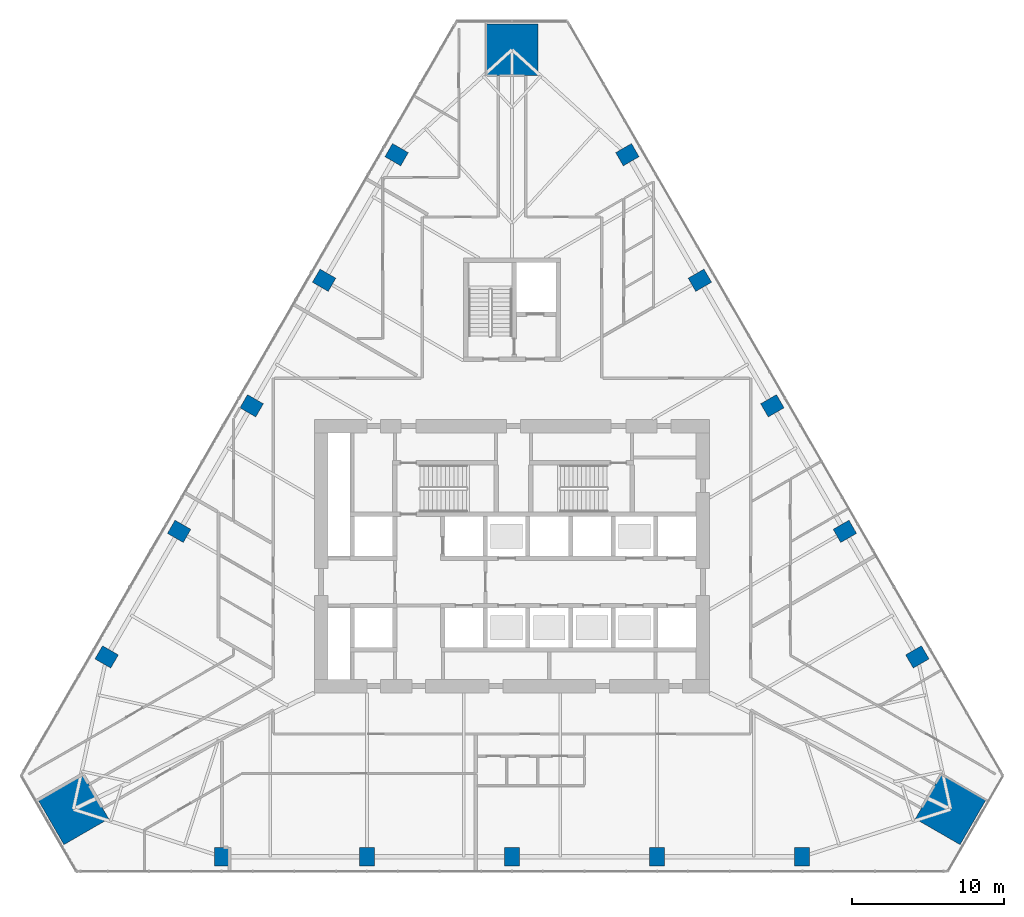
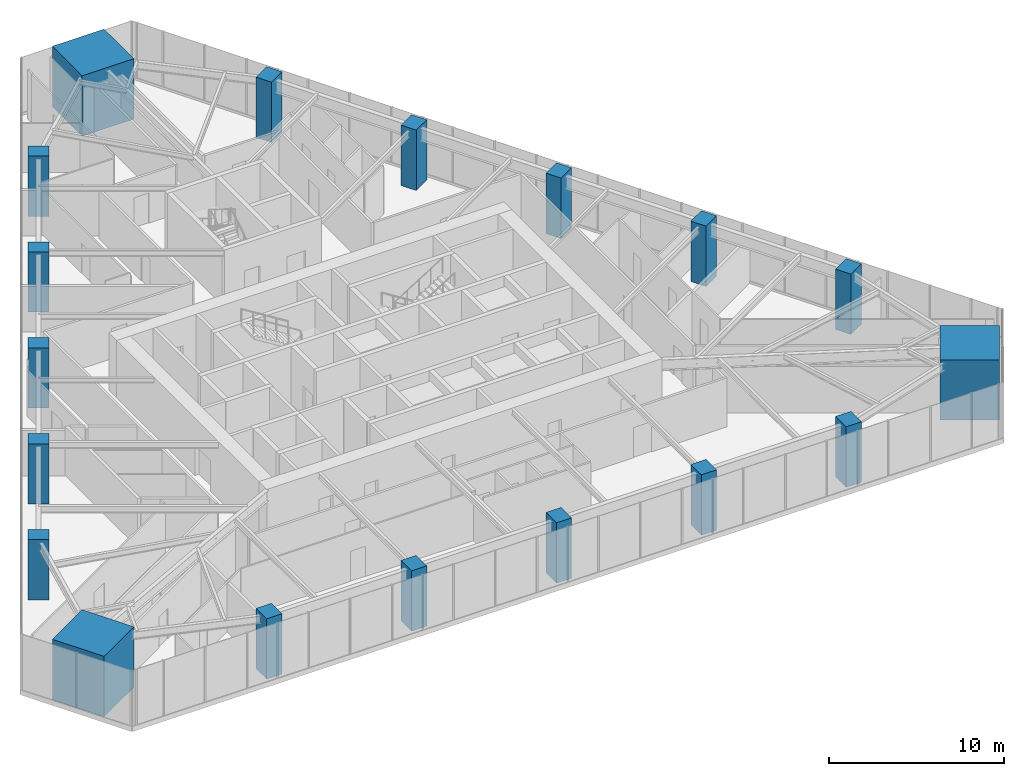
# One storey, part 1 of 25: 18 columns.
"""IFC4 building model written with IfcOpenShell, lengths in metres."""

from ifc_helpers import new_model, si_unit, direction, frame, origin, origin_2d, place, context, subcontext, project, spatial, rectangle, extrude, material, material_profile, profile_set, type_object, element, save


model = new_model("IFC4")

# Units and contexts
model_context = context("Model", 3, precision=1e-05, world=origin(), true_north=direction((0.0, 1.0)))
body_context = subcontext(model_context, "Body", "Model", "MODEL_VIEW")
ifc_project = project(units=[si_unit("LENGTHUNIT", "METRE"), si_unit("AREAUNIT", "SQUARE_METRE"), si_unit("VOLUMEUNIT", "CUBIC_METRE"), si_unit("PLANEANGLEUNIT", "RADIAN"), si_unit("MASSUNIT", "GRAM", prefix="KILO")], contexts=[model_context])

# Site, building, storey
site_placement = place(None, origin())
site = spatial("IfcSite", under=ifc_project, at=site_placement, CompositionType="ELEMENT")
building_placement = place(site_placement, origin())
building = spatial("IfcBuilding", under=site, at=building_placement, Name="Firuza Gate Tower and Library", CompositionType="ELEMENT")
storey_placement = place(building_placement, frame((0.0, 0.0, 61.0)))
storey = spatial("IfcBuildingStorey", under=building, at=storey_placement, Name="L13", CompositionType="ELEMENT", Elevation=61.0)

# Columns
ifc_material_1 = material(Name="Concrete C80/95", Category="concrete")
ifc_material_profile_1 = material_profile(ifc_material_1, rectangle(XDim=3.39990234375, YDim=3.39990234375, at=origin_2d()))
ifc_profile_set_1 = profile_set([ifc_material_profile_1], Name="Concrete C80/95")
column_type_1 = type_object("IfcColumnType", Name="Mega column 3400x3400 C80/95", PredefinedType="COLUMN", material=ifc_profile_set_1)
for number, where, z_axis, x_axis, name in (
    (1, (103.844482421875, 58.3466796875, 0.0), (0.0, 0.0, 1.0), (0.5, 0.866025403784, 0.0), "Mega column SE L13"),
    (2, (75.0, 108.306884765625, 0.0), (0.0, 0.0, 1.0), (-1.0, 0.0, 0.0), "Mega column N L13"),
    (3, (46.155517578125, 58.3466796875, 0.0), (0.0, 0.0, 1.0), (0.5, -0.866025403784, 0.0), "Mega column SW L13"),
):
    element("IfcColumn", number, at=place(storey_placement, frame(where, z_axis=z_axis, x_axis=x_axis)), inside=storey, type_object=column_type_1, Name=name, PredefinedType="COLUMN", context=body_context, shape_type="SweptSolid", body=[
        extrude(rectangle(XDim=3.39990234375, YDim=3.39990234375, at=origin_2d()), origin(), (0.0, 0.0, 1.0), 4.199951171875),
    ])
ifc_material_2 = material(Name="Concrete C60/75", Category="concrete")
ifc_material_profile_2 = material_profile(ifc_material_2, rectangle(XDim=1.0, YDim=1.199951171875, at=origin_2d()))
ifc_profile_set_2 = profile_set([ifc_material_profile_2], Name="Concrete C60/75")
column_type_2 = type_object("IfcColumnType", Name="Perimeter column 1000x1200 C60/75", PredefinedType="COLUMN", material=ifc_profile_set_2)
for number, where, z_axis, x_axis, name in (
    (4, (55.93115234375, 55.22900390625, -0.00048828125), (0.0, 0.0, 1.0), (1.0, 0.0, 0.0), "Column S1 L13"),
    (5, (65.465576171875, 55.22900390625, -0.00048828125), (0.0, 0.0, 1.0), (1.0, 0.0, 0.0), "Column S2 L13"),
    (6, (75.0, 55.22900390625, -0.00048828125), (0.0, 0.0, 1.0), (1.0, 0.0, 0.0), "Column S3 L13"),
    (7, (84.534423828125, 55.22900390625, -0.00048828125), (0.0, 0.0, 1.0), (1.0, 0.0, 0.0), "Column S4 L13"),
    (8, (94.06884765625, 55.22900390625, -0.00048828125), (0.0, 0.0, 1.0), (1.0, 0.0, 0.0), "Column S5 L13"),
    (9, (101.65673828125, 68.371337890625, -0.00048828125), (0.0, 0.0, 1.0), (-0.5, 0.866025403784, 0.0), "Column E1 L13"),
    (10, (96.889404296875, 76.62841796875, -0.00048828125), (0.0, 0.0, 1.0), (-0.5, 0.866025403784, 0.0), "Column E2 L13"),
    (11, (92.122314453125, 84.885498046875, -0.00048828125), (0.0, 0.0, 1.0), (-0.5, 0.866025403784, 0.0), "Column E3 L13"),
    (12, (87.35498046875, 93.142578125, -0.00048828125), (0.0, 0.0, 1.0), (-0.5, 0.866025403784, 0.0), "Column E4 L13"),
    (13, (82.587890625, 101.399658203125, -0.00048828125), (0.0, 0.0, 1.0), (-0.5, 0.866025403784, 0.0), "Column E5 L13"),
    (14, (67.412109375, 101.399658203125, -0.00048828125), (0.0, 0.0, 1.0), (-0.5, -0.866025403784, 0.0), "Column W1 L13"),
    (15, (62.64501953125, 93.142578125, -0.00048828125), (0.0, 0.0, 1.0), (-0.5, -0.866025403784, 0.0), "Column W2 L13"),
    (16, (57.877685546875, 84.885498046875, -0.00048828125), (0.0, 0.0, 1.0), (-0.5, -0.866025403784, 0.0), "Column W3 L13"),
    (17, (53.110595703125, 76.62841796875, -0.00048828125), (0.0, 0.0, 1.0), (-0.5, -0.866025403784, 0.0), "Column W4 L13"),
    (18, (48.34326171875, 68.371337890625, -0.00048828125), (0.0, 0.0, 1.0), (-0.5, -0.866025403784, 0.0), "Column W5 L13"),
):
    element("IfcColumn", number, at=place(storey_placement, frame(where, z_axis=z_axis, x_axis=x_axis)), inside=storey, type_object=column_type_2, Name=name, PredefinedType="COLUMN", context=body_context, shape_type="SweptSolid", body=[
        extrude(rectangle(XDim=1.0, YDim=1.199951171875, at=origin_2d()), origin(), (0.0, 0.0, 1.0), 4.200439453125),
    ])

save(model, "model.ifc")
